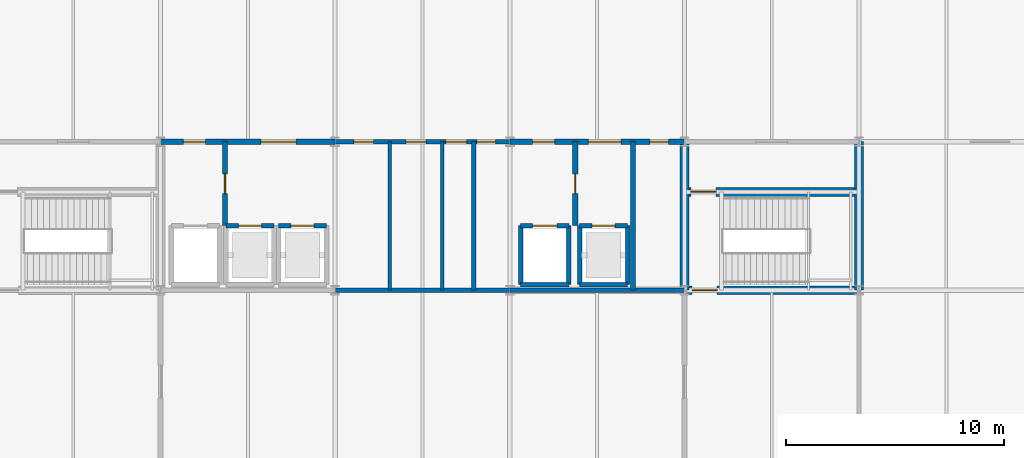
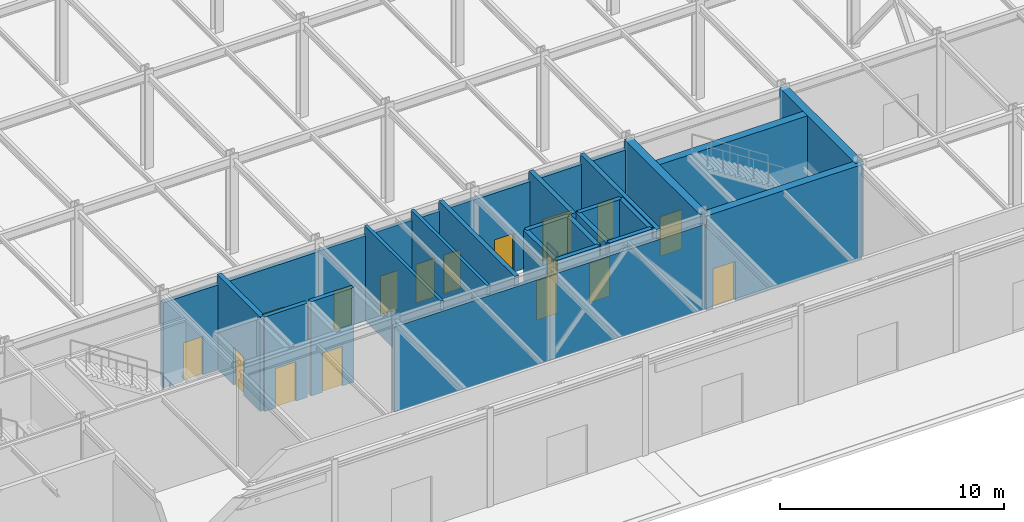
# One storey, part 64 of 89: 25 walls, 17 doors, 17 openings.
"""IFC4 building model written with IfcOpenShell, lengths in metres."""

from ifc_helpers import new_model, si_unit, direction, frame, frame_2d, origin, place, context, subcontext, project, spatial, rectangle, extrude, material, layer, layer_set, type_object, element, fill, save


model = new_model("IFC4")

# Units and contexts
model_context = context("Model", 3, precision=1e-05, world=origin(), true_north=direction((0.0, 1.0)))
body_context = subcontext(model_context, "Body", "Model", "MODEL_VIEW")
ifc_project = project(units=[si_unit("LENGTHUNIT", "METRE"), si_unit("AREAUNIT", "SQUARE_METRE"), si_unit("VOLUMEUNIT", "CUBIC_METRE"), si_unit("PLANEANGLEUNIT", "RADIAN"), si_unit("MASSUNIT", "GRAM", prefix="KILO")], contexts=[model_context])

# Site, building, storey
site_placement = place(None, origin())
site = spatial("IfcSite", under=ifc_project, at=site_placement, CompositionType="ELEMENT")
building_placement = place(site_placement, origin())
building = spatial("IfcBuilding", under=site, at=building_placement, Name="Shalkamar Park Central Library", CompositionType="ELEMENT")
storey_placement = place(building_placement, origin())
storey = spatial("IfcBuildingStorey", under=building, at=storey_placement, Name="L01", CompositionType="ELEMENT", Elevation=0.0)

# Wall, opening, door
ifc_material_1 = material(Name="Reinforced fire-compartment masonry wall", Category="masonry")
ifc_layer_1 = layer(ifc_material_1, 0.239990234375)
ifc_layer_set_1 = layer_set([ifc_layer_1], Name="CompartmentWall_240")
wall_type_1 = type_object("IfcWallType", Name="Compartment Wall 240", PredefinedType="PARTITIONING", material=ifc_layer_set_1)
wall_1_placement = place(storey_placement, frame((175.949951171875, 251.35009765625, 0.0), z_axis=(0.0, 0.0, 1.0), x_axis=(0.0, 1.0, 0.0)))
wall_1 = element("IfcWall", 1, at=wall_1_placement, inside=storey, type_object=wall_type_1, Name="Interior Partition WL-INT-L01-001", PredefinedType="PARTITIONING", context=body_context, shape_type="SweptSolid", body=[
    extrude(rectangle(XDim=3.849853515625, YDim=0.239990234375, at=frame_2d((1.9248046875, 0.0))), origin(), (0.0, 0.0, 1.0), 5.139892578125),
])
opening_1_placement = place(wall_1_placement, frame((1.47509765625, 0.0, 0.0)))
opening_1 = element("IfcOpeningElement", 2, at=opening_1_placement, cuts=wall_1, Name="Opening DR-L01-001", PredefinedType="OPENING", context=body_context, shape_type="SweptSolid", body=[
    extrude(rectangle(XDim=0.89990234375, YDim=2.10009765625, at=frame_2d((0.449951171875, 1.050048828125))), frame((0.0, 0.134765625, 0.0), z_axis=(0.0, -1.0, 0.0), x_axis=(1.0, 0.0, 0.0)), (0.0, 0.0, 1.0), 0.269775390625),
])
ifc_material_2 = material(Name="Steel S355", Category="steel")
door_type_1 = type_object("IfcDoorType", Name="Fire Door Single 900x2100", OperationType="NOTDEFINED", PredefinedType="DOOR", material=ifc_material_2)
door_1_placement = place(opening_1_placement, origin())
door_1 = element("IfcDoor", 3, at=door_1_placement, inside=storey, type_object=door_type_1, Name="Fire Lobby Interconnect Door", OperationType="SINGLE_SWING_LEFT", OverallHeight=2.10009765625, OverallWidth=0.89990234375, PredefinedType="DOOR", context=body_context, shape_type="SweptSolid", body=[
    extrude(rectangle(XDim=0.89990234375, YDim=2.10009765625, at=frame_2d((0.449951171875, 1.050048828125))), frame((0.0, 0.02490234375, 0.0), z_axis=(0.0, -1.0, 0.0), x_axis=(1.0, 0.0, 0.0)), (0.0, 0.0, 1.0), 0.050048828125),
])
fill(opening_1, door_1)

wall_2_placement = place(storey_placement, frame((192.0, 251.35009765625, 0.0), z_axis=(0.0, 0.0, 1.0), x_axis=(0.0, 1.0, 0.0)))
wall_2 = element("IfcWall", 4, at=wall_2_placement, inside=storey, type_object=wall_type_1, Name="Interior Partition WL-INT-L01-002", PredefinedType="PARTITIONING", context=body_context, shape_type="SweptSolid", body=[
    extrude(rectangle(XDim=3.849853515625, YDim=0.239990234375, at=frame_2d((1.9248046875, 0.0))), origin(), (0.0, 0.0, 1.0), 5.139892578125),
])
opening_2_placement = place(wall_2_placement, frame((1.47509765625, 0.0, 0.0)))
opening_2 = element("IfcOpeningElement", 5, at=opening_2_placement, cuts=wall_2, Name="Opening DR-L01-002", PredefinedType="OPENING", context=body_context, shape_type="SweptSolid", body=[
    extrude(rectangle(XDim=0.89990234375, YDim=2.10009765625, at=frame_2d((0.449951171875, 1.050048828125))), frame((0.0, 0.134765625, 0.0), z_axis=(0.0, -1.0, 0.0), x_axis=(1.0, 0.0, 0.0)), (0.0, 0.0, 1.0), 0.269775390625),
])
door_2_placement = place(opening_2_placement, frame((0.89990234375, 0.0, 0.0), z_axis=(0.0, 0.0, 1.0), x_axis=(-1.0, 0.0, 0.0)))
door_2 = element("IfcDoor", 6, at=door_2_placement, inside=storey, type_object=door_type_1, Name="Fire Lobby Interconnect Door", OperationType="SINGLE_SWING_LEFT", OverallHeight=2.10009765625, OverallWidth=0.89990234375, PredefinedType="DOOR", context=body_context, shape_type="SweptSolid", body=[
    extrude(rectangle(XDim=0.89990234375, YDim=2.10009765625, at=frame_2d((0.449951171875, 1.050048828125))), frame((0.0, 0.02490234375, 0.0), z_axis=(0.0, -1.0, 0.0), x_axis=(1.0, 0.0, 0.0)), (0.0, 0.0, 1.0), 0.050048828125),
])
fill(opening_2, door_2)

# Wall, openings, doors
wall_3_placement = place(storey_placement, frame((173.0, 255.199951171875, 0.0), z_axis=(0.0, 0.0, 1.0), x_axis=(1.0, 0.0, 0.0)))
wall_3 = element("IfcWall", 7, at=wall_3_placement, inside=storey, type_object=wall_type_1, Name="Interior Partition WL-INT-L01-008", PredefinedType="PARTITIONING", context=body_context, shape_type="SweptSolid", body=[
    extrude(rectangle(XDim=8.0, YDim=0.239990234375, at=frame_2d((4.0, 0.0))), origin(), (0.0, 0.0, 1.0), 4.637939453125),
])
opening_3_placement = place(wall_3_placement, frame((1.050048828125, 0.0, 0.0)))
opening_3 = element("IfcOpeningElement", 8, at=opening_3_placement, cuts=wall_3, Name="Opening DR-L01-003", PredefinedType="OPENING", context=body_context, shape_type="SweptSolid", body=[
    extrude(rectangle(XDim=1.0, YDim=2.10009765625, at=frame_2d((0.5, 1.050048828125))), frame((0.0, 0.134765625, 0.0), z_axis=(0.0, -1.0, 0.0), x_axis=(1.0, 0.0, 0.0)), (0.0, 0.0, 1.0), 0.269775390625),
])
opening_4_placement = place(wall_3_placement, frame((4.60009765625, 0.0, 0.0)))
opening_4 = element("IfcOpeningElement", 9, at=opening_4_placement, cuts=wall_3, Name="Opening DR-L01-004", PredefinedType="OPENING", context=body_context, shape_type="SweptSolid", body=[
    extrude(rectangle(XDim=1.60009765625, YDim=2.25, at=frame_2d((0.800048828125, 1.125))), frame((0.0, 0.134765625, 0.0), z_axis=(0.0, -1.0, 0.0), x_axis=(1.0, 0.0, 0.0)), (0.0, 0.0, 1.0), 0.269775390625),
])
door_type_2 = type_object("IfcDoorType", Name="Fire Door Single 1000x2100", OperationType="NOTDEFINED", PredefinedType="DOOR", material=ifc_material_2)
door_3_placement = place(opening_3_placement, origin())
door_3 = element("IfcDoor", 10, at=door_3_placement, inside=storey, type_object=door_type_2, Name="West Firefighting Lobby Door", OperationType="SINGLE_SWING_LEFT", OverallHeight=2.10009765625, OverallWidth=1.0, PredefinedType="DOOR", context=body_context, shape_type="SweptSolid", body=[
    extrude(rectangle(XDim=1.0, YDim=2.10009765625, at=frame_2d((0.5, 1.050048828125))), frame((0.0, 0.02490234375, 0.0), z_axis=(0.0, -1.0, 0.0), x_axis=(1.0, 0.0, 0.0)), (0.0, 0.0, 1.0), 0.050048828125),
])
fill(opening_3, door_3)
door_type_3 = type_object("IfcDoorType", Name="Interior Door Double 1600x2250", OperationType="DOUBLE_DOOR_SINGLE_SWING", PredefinedType="DOOR", material=ifc_material_2)
door_4_placement = place(opening_4_placement, frame((1.60009765625, 0.0, 0.0), z_axis=(0.0, 0.0, 1.0), x_axis=(-1.0, 0.0, 0.0)))
door_4 = element("IfcDoor", 11, at=door_4_placement, inside=storey, type_object=door_type_3, Name="West Lift Lobby Entrance", OperationType="DOUBLE_DOOR_SINGLE_SWING", OverallHeight=2.25, OverallWidth=1.60009765625, PredefinedType="DOOR", context=body_context, shape_type="SweptSolid", body=[
    extrude(rectangle(XDim=1.60009765625, YDim=2.25, at=frame_2d((0.800048828125, 1.125))), frame((0.0, 0.02490234375, 0.0), z_axis=(0.0, -1.0, 0.0), x_axis=(1.0, 0.0, 0.0)), (0.0, 0.0, 1.0), 0.050048828125),
])
fill(opening_4, door_4)

wall_4_placement = place(storey_placement, frame((189.0, 255.199951171875, 0.0), z_axis=(0.0, 0.0, 1.0), x_axis=(1.0, 0.0, 0.0)))
wall_4 = element("IfcWall", 12, at=wall_4_placement, inside=storey, type_object=wall_type_1, Name="Interior Partition WL-INT-L01-010", PredefinedType="PARTITIONING", context=body_context, shape_type="SweptSolid", body=[
    extrude(rectangle(XDim=8.0, YDim=0.239990234375, at=frame_2d((4.0, 0.0))), origin(), (0.0, 0.0, 1.0), 4.637939453125),
])
opening_5_placement = place(wall_4_placement, frame((1.050048828125, 0.0, 0.0)))
opening_5 = element("IfcOpeningElement", 13, at=opening_5_placement, cuts=wall_4, Name="Opening DR-L01-009", PredefinedType="OPENING", context=body_context, shape_type="SweptSolid", body=[
    extrude(rectangle(XDim=1.0, YDim=2.10009765625, at=frame_2d((0.5, 1.050048828125))), frame((0.0, 0.134765625, 0.0), z_axis=(0.0, -1.0, 0.0), x_axis=(1.0, 0.0, 0.0)), (0.0, 0.0, 1.0), 0.269775390625),
])
opening_6_placement = place(wall_4_placement, frame((3.60009765625, 0.0, 0.0)))
opening_6 = element("IfcOpeningElement", 14, at=opening_6_placement, cuts=wall_4, Name="Opening DR-L01-010", PredefinedType="OPENING", context=body_context, shape_type="SweptSolid", body=[
    extrude(rectangle(XDim=1.5, YDim=2.25, at=frame_2d((0.75, 1.125))), frame((0.0, 0.134765625, 0.0), z_axis=(0.0, -1.0, 0.0), x_axis=(1.0, 0.0, 0.0)), (0.0, 0.0, 1.0), 0.269775390625),
])
opening_7_placement = place(wall_4_placement, frame((6.425048828125, 0.0, 0.0)))
opening_7 = element("IfcOpeningElement", 15, at=opening_7_placement, cuts=wall_4, Name="Opening DR-L01-011", PredefinedType="OPENING", context=body_context, shape_type="SweptSolid", body=[
    extrude(rectangle(XDim=0.85009765625, YDim=2.10009765625, at=frame_2d((0.425048828125, 1.050048828125))), frame((0.0, 0.134765625, 0.0), z_axis=(0.0, -1.0, 0.0), x_axis=(1.0, 0.0, 0.0)), (0.0, 0.0, 1.0), 0.269775390625),
])
door_type_4 = type_object("IfcDoorType", Name="Fire Door Riser 850x2100", OperationType="NOTDEFINED", PredefinedType="DOOR", material=ifc_material_2)
door_5_placement = place(opening_7_placement, frame((0.85009765625, 0.0, 0.0), z_axis=(0.0, 0.0, 1.0), x_axis=(-1.0, 0.0, 0.0)))
door_5 = element("IfcDoor", 16, at=door_5_placement, inside=storey, type_object=door_type_4, Name="Mechanical Riser Access Door", OperationType="SINGLE_SWING_LEFT", OverallHeight=2.10009765625, OverallWidth=0.85009765625, PredefinedType="DOOR", context=body_context, shape_type="SweptSolid", body=[
    extrude(rectangle(XDim=0.85009765625, YDim=2.10009765625, at=frame_2d((0.425048828125, 1.050048828125))), frame((0.0, 0.02490234375, 0.0), z_axis=(0.0, -1.0, 0.0), x_axis=(1.0, 0.0, 0.0)), (0.0, 0.0, 1.0), 0.050048828125),
])
fill(opening_7, door_5)
door_6_placement = place(opening_5_placement, origin())
door_6 = element("IfcDoor", 17, at=door_6_placement, inside=storey, type_object=door_type_2, Name="East Firefighting Lobby Door", OperationType="SINGLE_SWING_LEFT", OverallHeight=2.10009765625, OverallWidth=1.0, PredefinedType="DOOR", context=body_context, shape_type="SweptSolid", body=[
    extrude(rectangle(XDim=1.0, YDim=2.10009765625, at=frame_2d((0.5, 1.050048828125))), frame((0.0, 0.02490234375, 0.0), z_axis=(0.0, -1.0, 0.0), x_axis=(1.0, 0.0, 0.0)), (0.0, 0.0, 1.0), 0.050048828125),
])
fill(opening_5, door_6)
door_type_5 = type_object("IfcDoorType", Name="Interior Door Double 1500x2250", OperationType="DOUBLE_DOOR_SINGLE_SWING", PredefinedType="DOOR", material=ifc_material_2)
door_7_placement = place(opening_6_placement, origin())
door_7 = element("IfcDoor", 18, at=door_7_placement, inside=storey, type_object=door_type_5, Name="East Lift Lobby Entrance", OperationType="DOUBLE_DOOR_SINGLE_SWING", OverallHeight=2.25, OverallWidth=1.5, PredefinedType="DOOR", context=body_context, shape_type="SweptSolid", body=[
    extrude(rectangle(XDim=1.5, YDim=2.25, at=frame_2d((0.75, 1.125))), frame((0.0, 0.02490234375, 0.0), z_axis=(0.0, -1.0, 0.0), x_axis=(1.0, 0.0, 0.0)), (0.0, 0.0, 1.0), 0.050048828125),
])
fill(opening_6, door_7)

# Wall
ifc_material_3 = material(Name="Fire-rated corridor partition wall", Category="masonry")
ifc_layer_2 = layer(ifc_material_3, 0.199951171875)
ifc_layer_set_2 = layer_set([ifc_layer_2], Name="CorridorFireWall_200")
wall_type_2 = type_object("IfcWallType", Name="Corridor Fire Wall 200", PredefinedType="PARTITIONING", material=ifc_layer_set_2)
wall_5_placement = place(storey_placement, frame((181.0, 248.39990234375, 0.0), z_axis=(0.0, 0.0, 1.0), x_axis=(1.0, 0.0, 0.0)))
element("IfcWall", 19, at=wall_5_placement, inside=storey, type_object=wall_type_2, Name="Interior Partition WL-INT-L01-007", PredefinedType="PARTITIONING", context=body_context, shape_type="SweptSolid", body=[
    extrude(rectangle(XDim=8.0, YDim=0.199951171875, at=frame_2d((4.0, 0.0))), origin(), (0.0, 0.0, 1.0), 4.637939453125),
])

# Wall, openings, doors
wall_6_placement = place(storey_placement, frame((181.0, 255.199951171875, 0.0), z_axis=(0.0, 0.0, 1.0), x_axis=(1.0, 0.0, 0.0)))
wall_6 = element("IfcWall", 20, at=wall_6_placement, inside=storey, type_object=wall_type_2, Name="Interior Partition WL-INT-L01-009", PredefinedType="PARTITIONING", context=body_context, shape_type="SweptSolid", body=[
    extrude(rectangle(XDim=8.0, YDim=0.199951171875, at=frame_2d((4.0, 0.0))), origin(), (0.0, 0.0, 1.0), 4.637939453125),
])
opening_8_placement = place(wall_6_placement, frame((0.85009765625, 0.0, 0.0)))
opening_8 = element("IfcOpeningElement", 21, at=opening_8_placement, cuts=wall_6, Name="Opening DR-L01-005", PredefinedType="OPENING", context=body_context, shape_type="SweptSolid", body=[
    extrude(rectangle(XDim=0.89990234375, YDim=2.10009765625, at=frame_2d((0.449951171875, 1.050048828125))), frame((0.0, 0.11474609375, 0.0), z_axis=(0.0, -1.0, 0.0), x_axis=(1.0, 0.0, 0.0)), (0.0, 0.0, 1.0), 0.229736328125),
])
opening_9_placement = place(wall_6_placement, frame((3.25, 0.0, 0.0)))
opening_9 = element("IfcOpeningElement", 22, at=opening_9_placement, cuts=wall_6, Name="Opening DR-L01-006", PredefinedType="OPENING", context=body_context, shape_type="SweptSolid", body=[
    extrude(rectangle(XDim=0.89990234375, YDim=2.10009765625, at=frame_2d((0.449951171875, 1.050048828125))), frame((0.0, 0.11474609375, 0.0), z_axis=(0.0, -1.0, 0.0), x_axis=(1.0, 0.0, 0.0)), (0.0, 0.0, 1.0), 0.229736328125),
])
opening_10_placement = place(wall_6_placement, frame((5.074951171875, 0.0, 0.0)))
opening_10 = element("IfcOpeningElement", 23, at=opening_10_placement, cuts=wall_6, Name="Opening DR-L01-007", PredefinedType="OPENING", context=body_context, shape_type="SweptSolid", body=[
    extrude(rectangle(XDim=0.949951171875, YDim=2.10009765625, at=frame_2d((0.47509765625, 1.050048828125))), frame((0.0, 0.11474609375, 0.0), z_axis=(0.0, -1.0, 0.0), x_axis=(1.0, 0.0, 0.0)), (0.0, 0.0, 1.0), 0.229736328125),
])
opening_11_placement = place(wall_6_placement, frame((6.5, 0.0, 0.0)))
opening_11 = element("IfcOpeningElement", 24, at=opening_11_placement, cuts=wall_6, Name="Opening DR-L01-008", PredefinedType="OPENING", context=body_context, shape_type="SweptSolid", body=[
    extrude(rectangle(XDim=0.85009765625, YDim=2.10009765625, at=frame_2d((0.425048828125, 1.050048828125))), frame((0.0, 0.11474609375, 0.0), z_axis=(0.0, -1.0, 0.0), x_axis=(1.0, 0.0, 0.0)), (0.0, 0.0, 1.0), 0.229736328125),
])
door_8_placement = place(opening_11_placement, frame((0.85009765625, 0.0, 0.0), z_axis=(0.0, 0.0, 1.0), x_axis=(-1.0, 0.0, 0.0)))
door_8 = element("IfcDoor", 25, at=door_8_placement, inside=storey, type_object=door_type_4, Name="Electrical Riser Access Door", OperationType="SINGLE_SWING_LEFT", OverallHeight=2.10009765625, OverallWidth=0.85009765625, PredefinedType="DOOR", context=body_context, shape_type="SweptSolid", body=[
    extrude(rectangle(XDim=0.85009765625, YDim=2.10009765625, at=frame_2d((0.425048828125, 1.050048828125))), frame((0.0, 0.02490234375, 0.0), z_axis=(0.0, -1.0, 0.0), x_axis=(1.0, 0.0, 0.0)), (0.0, 0.0, 1.0), 0.050048828125),
])
fill(opening_11, door_8)
door_type_6 = type_object("IfcDoorType", Name="Interior Door Single 900x2100", OperationType="NOTDEFINED", PredefinedType="DOOR", material=ifc_material_2)
door_9_placement = place(opening_8_placement, frame((0.89990234375, 0.0, 0.0), z_axis=(0.0, 0.0, 1.0), x_axis=(-1.0, 0.0, 0.0)))
door_9 = element("IfcDoor", 26, at=door_9_placement, inside=storey, type_object=door_type_6, Name="Male WC Door", OperationType="SINGLE_SWING_RIGHT", OverallHeight=2.10009765625, OverallWidth=0.89990234375, PredefinedType="DOOR", context=body_context, shape_type="SweptSolid", body=[
    extrude(rectangle(XDim=0.89990234375, YDim=2.10009765625, at=frame_2d((0.449951171875, 1.050048828125))), frame((0.0, 0.02490234375, 0.0), z_axis=(0.0, -1.0, 0.0), x_axis=(1.0, 0.0, 0.0)), (0.0, 0.0, 1.0), 0.050048828125),
])
fill(opening_8, door_9)
door_10_placement = place(opening_9_placement, frame((0.89990234375, 0.0, 0.0), z_axis=(0.0, 0.0, 1.0), x_axis=(-1.0, 0.0, 0.0)))
door_10 = element("IfcDoor", 27, at=door_10_placement, inside=storey, type_object=door_type_6, Name="Female WC Door", OperationType="SINGLE_SWING_RIGHT", OverallHeight=2.10009765625, OverallWidth=0.89990234375, PredefinedType="DOOR", context=body_context, shape_type="SweptSolid", body=[
    extrude(rectangle(XDim=0.89990234375, YDim=2.10009765625, at=frame_2d((0.449951171875, 1.050048828125))), frame((0.0, 0.02490234375, 0.0), z_axis=(0.0, -1.0, 0.0), x_axis=(1.0, 0.0, 0.0)), (0.0, 0.0, 1.0), 0.050048828125),
])
fill(opening_9, door_10)
door_type_7 = type_object("IfcDoorType", Name="Interior Door Single 950x2100", OperationType="NOTDEFINED", PredefinedType="DOOR", material=ifc_material_2)
door_11_placement = place(opening_10_placement, frame((0.949951171875, 0.0, 0.0), z_axis=(0.0, 0.0, 1.0), x_axis=(-1.0, 0.0, 0.0)))
door_11 = element("IfcDoor", 28, at=door_11_placement, inside=storey, type_object=door_type_7, Name="Universal Accessible WC Door", OperationType="SINGLE_SWING_LEFT", OverallHeight=2.10009765625, OverallWidth=0.949951171875, PredefinedType="DOOR", context=body_context, shape_type="SweptSolid", body=[
    extrude(rectangle(XDim=0.949951171875, YDim=2.10009765625, at=frame_2d((0.47509765625, 1.050048828125))), frame((0.0, 0.02490234375, 0.0), z_axis=(0.0, -1.0, 0.0), x_axis=(1.0, 0.0, 0.0)), (0.0, 0.0, 1.0), 0.050048828125),
])
fill(opening_10, door_11)

# Wall
wall_7_placement = place(storey_placement, frame((189.0, 248.39990234375, 0.0), z_axis=(0.0, 0.0, 1.0), x_axis=(1.0, 0.0, 0.0)))
element("IfcWall", 29, at=wall_7_placement, inside=storey, type_object=wall_type_2, Name="Interior Partition WL-INT-L01-027", PredefinedType="PARTITIONING", context=body_context, shape_type="SweptSolid", body=[
    extrude(rectangle(XDim=8.0, YDim=0.199951171875, at=frame_2d((4.0, 0.0))), origin(), (0.0, 0.0, 1.0), 4.637939453125),
])

# Wall, opening, door
ifc_material_4 = material(Name="Concrete C40/50", Category="concrete")
ifc_layer_3 = layer(ifc_material_4, 0.219970703125)
ifc_layer_set_3 = layer_set([ifc_layer_3], Name="Concrete C40/50")
wall_type_3 = type_object("IfcWallType", Name="Lift Hoistway Shear Wall 220", PredefinedType="SHEAR", material=ifc_layer_set_3)
wall_8_placement = place(storey_placement, frame((176.0, 251.35009765625, 0.0), z_axis=(0.0, 0.0, 1.0), x_axis=(1.0, 0.0, 0.0)))
wall_8 = element("IfcWall", 30, at=wall_8_placement, inside=storey, type_object=wall_type_3, Name="Lift LT-01 Hoistway Front Wall (L01)", PredefinedType="SHEAR", context=body_context, shape_type="SweptSolid", body=[
    extrude(rectangle(XDim=2.199951171875, YDim=0.219970703125, at=frame_2d((1.10009765625, 0.0))), origin(), (0.0, 0.0, 1.0), 5.139892578125),
])
opening_12_placement = place(wall_8_placement, frame((0.574951171875, 0.0, 0.0)))
opening_12 = element("IfcOpeningElement", 31, at=opening_12_placement, cuts=wall_8, Name="Opening LD-LT-01-L01", PredefinedType="OPENING", context=body_context, shape_type="SweptSolid", body=[
    extrude(rectangle(XDim=1.050048828125, YDim=2.14990234375, at=frame_2d((0.52490234375, 1.074951171875))), frame((0.0, 0.125, 0.0), z_axis=(0.0, -1.0, 0.0), x_axis=(1.0, 0.0, 0.0)), (0.0, 0.0, 1.0), 0.249755859375),
])
door_type_8 = type_object("IfcDoorType", Name="Passenger Lift Landing Door 1050x2150", OperationType="DOUBLE_DOOR_SLIDING", PredefinedType="USERDEFINED", material=ifc_material_2)
door_12_placement = place(opening_12_placement, origin())
door_12 = element("IfcDoor", 32, at=door_12_placement, inside=storey, type_object=door_type_8, Name="Lift LT-01 Sliding Landing Door (L01)", ObjectType="SLIDING LANDING DOOR", OperationType="DOUBLE_DOOR_SLIDING", OverallHeight=2.14990234375, OverallWidth=1.050048828125, PredefinedType="USERDEFINED", context=body_context, shape_type="SweptSolid", body=[
    extrude(rectangle(XDim=1.050048828125, YDim=2.14990234375, at=frame_2d((0.52490234375, 1.074951171875))), frame((0.0, 0.02490234375, 0.0), z_axis=(0.0, -1.0, 0.0), x_axis=(1.0, 0.0, 0.0)), (0.0, 0.0, 1.0), 0.050048828125),
])
fill(opening_12, door_12)

wall_9_placement = place(storey_placement, frame((178.39990234375, 251.35009765625, 0.0), z_axis=(0.0, 0.0, 1.0), x_axis=(1.0, 0.0, 0.0)))
wall_9 = element("IfcWall", 33, at=wall_9_placement, inside=storey, type_object=wall_type_3, Name="Lift LT-02 Hoistway Front Wall (L01)", PredefinedType="SHEAR", context=body_context, shape_type="SweptSolid", body=[
    extrude(rectangle(XDim=2.2001953125, YDim=0.219970703125, at=frame_2d((1.10009765625, 0.0))), origin(), (0.0, 0.0, 1.0), 5.139892578125),
])
opening_13_placement = place(wall_9_placement, frame((0.574951171875, 0.0, 0.0)))
opening_13 = element("IfcOpeningElement", 34, at=opening_13_placement, cuts=wall_9, Name="Opening LD-LT-02-L01", PredefinedType="OPENING", context=body_context, shape_type="SweptSolid", body=[
    extrude(rectangle(XDim=1.050048828125, YDim=2.14990234375, at=frame_2d((0.52490234375, 1.074951171875))), frame((0.0, 0.125, 0.0), z_axis=(0.0, -1.0, 0.0), x_axis=(1.0, 0.0, 0.0)), (0.0, 0.0, 1.0), 0.249755859375),
])
door_13_placement = place(opening_13_placement, origin())
door_13 = element("IfcDoor", 35, at=door_13_placement, inside=storey, type_object=door_type_8, Name="Lift LT-02 Sliding Landing Door (L01)", ObjectType="SLIDING LANDING DOOR", OperationType="DOUBLE_DOOR_SLIDING", OverallHeight=2.14990234375, OverallWidth=1.050048828125, PredefinedType="USERDEFINED", context=body_context, shape_type="SweptSolid", body=[
    extrude(rectangle(XDim=1.050048828125, YDim=2.14990234375, at=frame_2d((0.52490234375, 1.074951171875))), frame((0.0, 0.02490234375, 0.0), z_axis=(0.0, -1.0, 0.0), x_axis=(1.0, 0.0, 0.0)), (0.0, 0.0, 1.0), 0.050048828125),
])
fill(opening_13, door_13)

# Walls
wall_10_placement = place(storey_placement, frame((189.5, 248.64990234375, 0.0), z_axis=(0.0, 0.0, 1.0), x_axis=(1.0, 0.0, 0.0)))
element("IfcWall", 36, at=wall_10_placement, inside=storey, type_object=wall_type_3, Name="Lift FFL-02 Hoistway South Wall (L01)", PredefinedType="SHEAR", context=body_context, shape_type="SweptSolid", body=[
    extrude(rectangle(XDim=2.199951171875, YDim=0.219970703125, at=frame_2d((1.10009765625, 0.0))), origin(), (0.0, 0.0, 1.0), 5.139892578125),
])
for number, where, z_axis, x_axis, name in (
    (37, (189.5, 248.64990234375, 0.0), (0.0, 0.0, 1.0), (0.0, 1.0, 0.0), "Lift FFL-02 Hoistway West Wall (L01)"),
    (38, (191.699951171875, 248.64990234375, 0.0), (0.0, 0.0, 1.0), (0.0, 1.0, 0.0), "Lift FFL-02 Hoistway East Wall (L01)"),
):
    element("IfcWall", number, at=place(storey_placement, frame(where, z_axis=z_axis, x_axis=x_axis)), inside=storey, type_object=wall_type_3, Name=name, PredefinedType="SHEAR", context=body_context, shape_type="SweptSolid", body=[
        extrude(rectangle(XDim=2.7001953125, YDim=0.219970703125, at=frame_2d((1.35009765625, 0.0))), origin(), (0.0, 0.0, 1.0), 5.139892578125),
    ])

# Wall, opening, door
wall_11_placement = place(storey_placement, frame((189.5, 251.35009765625, 0.0), z_axis=(0.0, 0.0, 1.0), x_axis=(1.0, 0.0, 0.0)))
wall_11 = element("IfcWall", 39, at=wall_11_placement, inside=storey, type_object=wall_type_3, Name="Lift FFL-02 Hoistway Front Wall (L01)", PredefinedType="SHEAR", context=body_context, shape_type="SweptSolid", body=[
    extrude(rectangle(XDim=2.199951171875, YDim=0.219970703125, at=frame_2d((1.10009765625, 0.0))), origin(), (0.0, 0.0, 1.0), 5.139892578125),
])
opening_14_placement = place(wall_11_placement, frame((0.550048828125, 0.0, 0.0)))
opening_14 = element("IfcOpeningElement", 40, at=opening_14_placement, cuts=wall_11, Name="Opening LD-FFL-02-L01", PredefinedType="OPENING", context=body_context, shape_type="SweptSolid", body=[
    extrude(rectangle(XDim=1.10009765625, YDim=2.14990234375, at=frame_2d((0.550048828125, 1.074951171875))), frame((0.0, 0.125, 0.0), z_axis=(0.0, -1.0, 0.0), x_axis=(1.0, 0.0, 0.0)), (0.0, 0.0, 1.0), 0.249755859375),
])
door_type_9 = type_object("IfcDoorType", Name="Fire Lift Landing Door 1100x2150", OperationType="DOUBLE_DOOR_SLIDING", PredefinedType="USERDEFINED", material=ifc_material_2)
door_14_placement = place(opening_14_placement, origin())
door_14 = element("IfcDoor", 41, at=door_14_placement, inside=storey, type_object=door_type_9, Name="Lift FFL-02 Sliding Landing Door (L01)", ObjectType="SLIDING LANDING DOOR", OperationType="DOUBLE_DOOR_SLIDING", OverallHeight=2.14990234375, OverallWidth=1.10009765625, PredefinedType="USERDEFINED", context=body_context, shape_type="SweptSolid", body=[
    extrude(rectangle(XDim=1.10009765625, YDim=2.14990234375, at=frame_2d((0.550048828125, 1.074951171875))), frame((0.0, 0.02490234375, 0.0), z_axis=(0.0, -1.0, 0.0), x_axis=(1.0, 0.0, 0.0)), (0.0, 0.0, 1.0), 0.050048828125),
])
fill(opening_14, door_14)

# Walls
wall_12_placement = place(storey_placement, frame((192.199951171875, 248.64990234375, 0.0), z_axis=(0.0, 0.0, 1.0), x_axis=(1.0, 0.0, 0.0)))
element("IfcWall", 42, at=wall_12_placement, inside=storey, type_object=wall_type_3, Name="Lift LT-03 Hoistway South Wall (L01)", PredefinedType="SHEAR", context=body_context, shape_type="SweptSolid", body=[
    extrude(rectangle(XDim=2.199951171875, YDim=0.219970703125, at=frame_2d((1.10009765625, 0.0))), origin(), (0.0, 0.0, 1.0), 5.139892578125),
])
for number, where, z_axis, x_axis, name in (
    (43, (192.199951171875, 248.64990234375, 0.0), (0.0, 0.0, 1.0), (0.0, 1.0, 0.0), "Lift LT-03 Hoistway West Wall (L01)"),
    (44, (194.39990234375, 248.64990234375, 0.0), (0.0, 0.0, 1.0), (0.0, 1.0, 0.0), "Lift LT-03 Hoistway East Wall (L01)"),
):
    element("IfcWall", number, at=place(storey_placement, frame(where, z_axis=z_axis, x_axis=x_axis)), inside=storey, type_object=wall_type_3, Name=name, PredefinedType="SHEAR", context=body_context, shape_type="SweptSolid", body=[
        extrude(rectangle(XDim=2.7001953125, YDim=0.219970703125, at=frame_2d((1.35009765625, 0.0))), origin(), (0.0, 0.0, 1.0), 5.139892578125),
    ])

# Wall, opening, door
wall_13_placement = place(storey_placement, frame((192.199951171875, 251.35009765625, 0.0), z_axis=(0.0, 0.0, 1.0), x_axis=(1.0, 0.0, 0.0)))
wall_13 = element("IfcWall", 45, at=wall_13_placement, inside=storey, type_object=wall_type_3, Name="Lift LT-03 Hoistway Front Wall (L01)", PredefinedType="SHEAR", context=body_context, shape_type="SweptSolid", body=[
    extrude(rectangle(XDim=2.199951171875, YDim=0.219970703125, at=frame_2d((1.10009765625, 0.0))), origin(), (0.0, 0.0, 1.0), 5.139892578125),
])
opening_15_placement = place(wall_13_placement, frame((0.574951171875, 0.0, 0.0)))
opening_15 = element("IfcOpeningElement", 46, at=opening_15_placement, cuts=wall_13, Name="Opening LD-LT-03-L01", PredefinedType="OPENING", context=body_context, shape_type="SweptSolid", body=[
    extrude(rectangle(XDim=1.050048828125, YDim=2.14990234375, at=frame_2d((0.52490234375, 1.074951171875))), frame((0.0, 0.125, 0.0), z_axis=(0.0, -1.0, 0.0), x_axis=(1.0, 0.0, 0.0)), (0.0, 0.0, 1.0), 0.249755859375),
])
door_15_placement = place(opening_15_placement, origin())
door_15 = element("IfcDoor", 47, at=door_15_placement, inside=storey, type_object=door_type_8, Name="Lift LT-03 Sliding Landing Door (L01)", ObjectType="SLIDING LANDING DOOR", OperationType="DOUBLE_DOOR_SLIDING", OverallHeight=2.14990234375, OverallWidth=1.050048828125, PredefinedType="USERDEFINED", context=body_context, shape_type="SweptSolid", body=[
    extrude(rectangle(XDim=1.050048828125, YDim=2.14990234375, at=frame_2d((0.52490234375, 1.074951171875))), frame((0.0, 0.02490234375, 0.0), z_axis=(0.0, -1.0, 0.0), x_axis=(1.0, 0.0, 0.0)), (0.0, 0.0, 1.0), 0.050048828125),
])
fill(opening_15, door_15)

# Walls
ifc_material_5 = material(Name="Moisture-resistant sanitary partition", Category="masonry")
ifc_layer_4 = layer(ifc_material_5, 0.159912109375)
ifc_layer_set_4 = layer_set([ifc_layer_4], Name="PlumbingChaseWall_160")
wall_type_4 = type_object("IfcWallType", Name="Plumbing Chase Wall 160", PredefinedType="PARTITIONING", material=ifc_layer_set_4)
for number, where, z_axis, x_axis, name in (
    (48, (183.5, 248.39990234375, 0.0), (0.0, 0.0, 1.0), (0.0, 1.0, 0.0), "Interior Partition WL-INT-L01-004"),
    (49, (185.89990234375, 248.39990234375, 0.0), (0.0, 0.0, 1.0), (0.0, 1.0, 0.0), "Interior Partition WL-INT-L01-005"),
):
    element("IfcWall", number, at=place(storey_placement, frame(where, z_axis=z_axis, x_axis=x_axis)), inside=storey, type_object=wall_type_4, Name=name, PredefinedType="PARTITIONING", context=body_context, shape_type="SweptSolid", body=[
        extrude(rectangle(XDim=6.800048828125, YDim=0.159912109375, at=frame_2d((3.39990234375, 0.0))), origin(), (0.0, 0.0, 1.0), 5.139892578125),
    ])
ifc_material_6 = material(Name="Fire-rated shaft enclosure wall", Category="masonry")
ifc_layer_5 = layer(ifc_material_6, 0.219970703125)
ifc_layer_set_5 = layer_set([ifc_layer_5], Name="ShaftWall_220")
wall_type_5 = type_object("IfcWallType", Name="Shaft Wall 220", PredefinedType="PARTITIONING", material=ifc_layer_set_5)
for number, where, z_axis, x_axis, name in (
    (50, (194.64990234375, 248.39990234375, 0.0), (0.0, 0.0, 1.0), (0.0, 1.0, 0.0), "Interior Partition WL-INT-L01-003"),
    (51, (187.35009765625, 248.39990234375, 0.0), (0.0, 0.0, 1.0), (0.0, 1.0, 0.0), "Interior Partition WL-INT-L01-006"),
):
    element("IfcWall", number, at=place(storey_placement, frame(where, z_axis=z_axis, x_axis=x_axis)), inside=storey, type_object=wall_type_5, Name=name, PredefinedType="PARTITIONING", context=body_context, shape_type="SweptSolid", body=[
        extrude(rectangle(XDim=6.800048828125, YDim=0.219970703125, at=frame_2d((3.39990234375, 0.0))), origin(), (0.0, 0.0, 1.0), 5.139892578125),
    ])

# Wall, opening, door
ifc_layer_6 = layer(ifc_material_4, 0.39990234375)
ifc_layer_set_6 = layer_set([ifc_layer_6], Name="Concrete C40/50")
wall_type_6 = type_object("IfcWallType", Name="Tower Core Shear Wall 400", PredefinedType="SHEAR", material=ifc_layer_set_6)
wall_14_placement = place(storey_placement, frame((197.0, 248.39990234375, 0.0), z_axis=(0.0, 0.0, 1.0), x_axis=(1.0, 0.0, 0.0)))
wall_14 = element("IfcWall", 52, at=wall_14_placement, inside=storey, type_object=wall_type_6, Name="CORE-T2 South Shear Wall (L01)", PredefinedType="SHEAR", context=body_context, shape_type="SweptSolid", body=[
    extrude(rectangle(XDim=8.0, YDim=0.39990234375, at=frame_2d((4.0, 0.0))), origin(), (0.0, 0.0, 1.0), 5.139892578125),
])
opening_16_placement = place(wall_14_placement, frame((0.35009765625, 0.0, 0.0)))
opening_16 = element("IfcOpeningElement", 53, at=opening_16_placement, cuts=wall_14, Name="Opening DR-ST-T2-L01-DIS", PredefinedType="OPENING", context=body_context, shape_type="SweptSolid", body=[
    extrude(rectangle(XDim=1.14990234375, YDim=2.14990234375, at=frame_2d((0.574951171875, 1.074951171875))), frame((0.0, 0.21484375, 0.0), z_axis=(0.0, -1.0, 0.0), x_axis=(1.0, 0.0, 0.0)), (0.0, 0.0, 1.0), 0.4296875),
])
door_type_10 = type_object("IfcDoorType", Name="Stair Core Exit Door 1150x2150", OperationType="NOTDEFINED", PredefinedType="DOOR", material=ifc_material_2)
door_16_placement = place(opening_16_placement, frame((1.14990234375, 0.0, 0.0), z_axis=(0.0, 0.0, 1.0), x_axis=(-1.0, 0.0, 0.0)))
door_16 = element("IfcDoor", 54, at=door_16_placement, inside=storey, type_object=door_type_10, Name="Protected Stair ST-T2 Grade Discharge Door", OperationType="SINGLE_SWING_RIGHT", OverallHeight=2.14990234375, OverallWidth=1.14990234375, PredefinedType="DOOR", context=body_context, shape_type="SweptSolid", body=[
    extrude(rectangle(XDim=1.14990234375, YDim=2.14990234375, at=frame_2d((0.574951171875, 1.074951171875))), frame((0.0, 0.02490234375, 0.0), z_axis=(0.0, -1.0, 0.0), x_axis=(1.0, 0.0, 0.0)), (0.0, 0.0, 1.0), 0.050048828125),
])
fill(opening_16, door_16)

# Walls
for number, where, z_axis, x_axis, name in (
    (55, (197.0, 248.39990234375, 0.0), (0.0, 0.0, 1.0), (0.0, 1.0, 0.0), "CORE-T2 West Shear Wall (L01)"),
    (56, (205.0, 248.39990234375, 0.0), (0.0, 0.0, 1.0), (0.0, 1.0, 0.0), "CORE-T2 East Shear Wall (L01)"),
):
    element("IfcWall", number, at=place(storey_placement, frame(where, z_axis=z_axis, x_axis=x_axis)), inside=storey, type_object=wall_type_6, Name=name, PredefinedType="SHEAR", context=body_context, shape_type="SweptSolid", body=[
        extrude(rectangle(XDim=6.800048828125, YDim=0.39990234375, at=frame_2d((3.39990234375, 0.0))), origin(), (0.0, 0.0, 1.0), 5.139892578125),
    ])

# Wall, opening, door
wall_15_placement = place(storey_placement, frame((197.0, 252.89990234375, 0.0), z_axis=(0.0, 0.0, 1.0), x_axis=(1.0, 0.0, 0.0)))
wall_15 = element("IfcWall", 57, at=wall_15_placement, inside=storey, type_object=wall_type_6, Name="CORE-T2 Stairwell Wall (L01)", PredefinedType="SHEAR", context=body_context, shape_type="SweptSolid", body=[
    extrude(rectangle(XDim=8.0, YDim=0.39990234375, at=frame_2d((4.0, 0.0))), origin(), (0.0, 0.0, 1.0), 5.139892578125),
])
opening_17_placement = place(wall_15_placement, frame((0.300048828125, 0.0, 0.0)))
opening_17 = element("IfcOpeningElement", 58, at=opening_17_placement, cuts=wall_15, Name="Opening DR-ST-T2-L01-IN", PredefinedType="OPENING", context=body_context, shape_type="SweptSolid", body=[
    extrude(rectangle(XDim=1.14990234375, YDim=2.14990234375, at=frame_2d((0.574951171875, 1.074951171875))), frame((0.0, 0.21484375, 0.0), z_axis=(0.0, -1.0, 0.0), x_axis=(1.0, 0.0, 0.0)), (0.0, 0.0, 1.0), 0.4296875),
])
door_17_placement = place(opening_17_placement, origin())
door_17 = element("IfcDoor", 59, at=door_17_placement, inside=storey, type_object=door_type_10, Name="Protected Stair ST-T2 Exit Door (L01)", OperationType="SINGLE_SWING_LEFT", OverallHeight=2.14990234375, OverallWidth=1.14990234375, PredefinedType="DOOR", context=body_context, shape_type="SweptSolid", body=[
    extrude(rectangle(XDim=1.14990234375, YDim=2.14990234375, at=frame_2d((0.574951171875, 1.074951171875))), frame((0.0, 0.02490234375, 0.0), z_axis=(0.0, -1.0, 0.0), x_axis=(1.0, 0.0, 0.0)), (0.0, 0.0, 1.0), 0.050048828125),
])
fill(opening_17, door_17)

save(model, "model.ifc")
